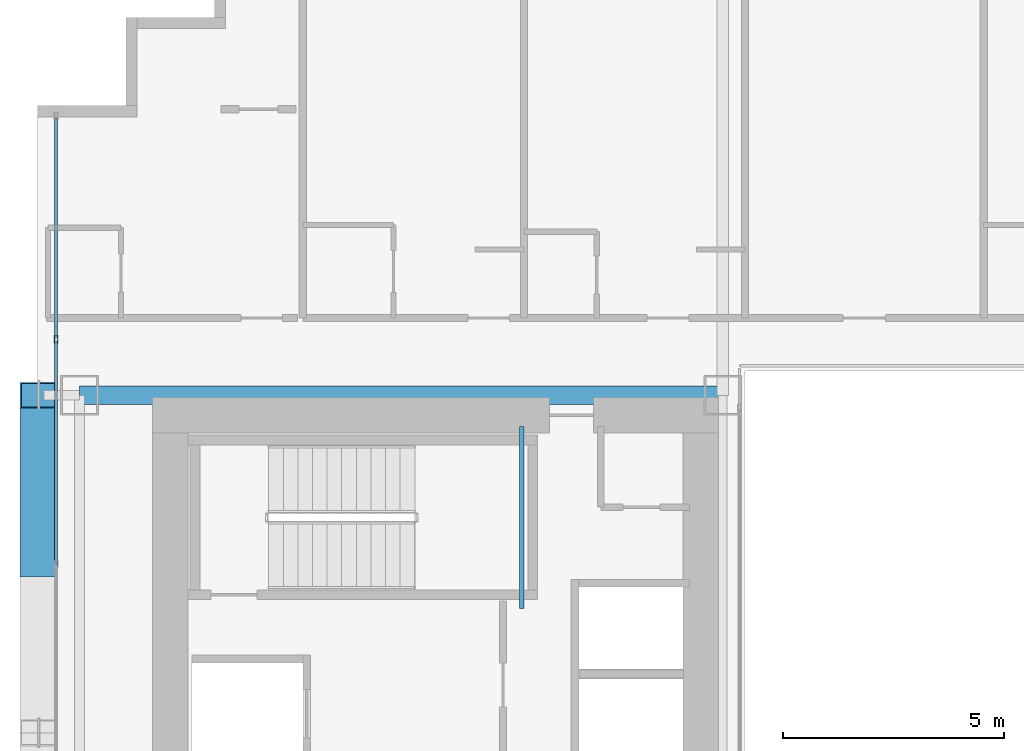
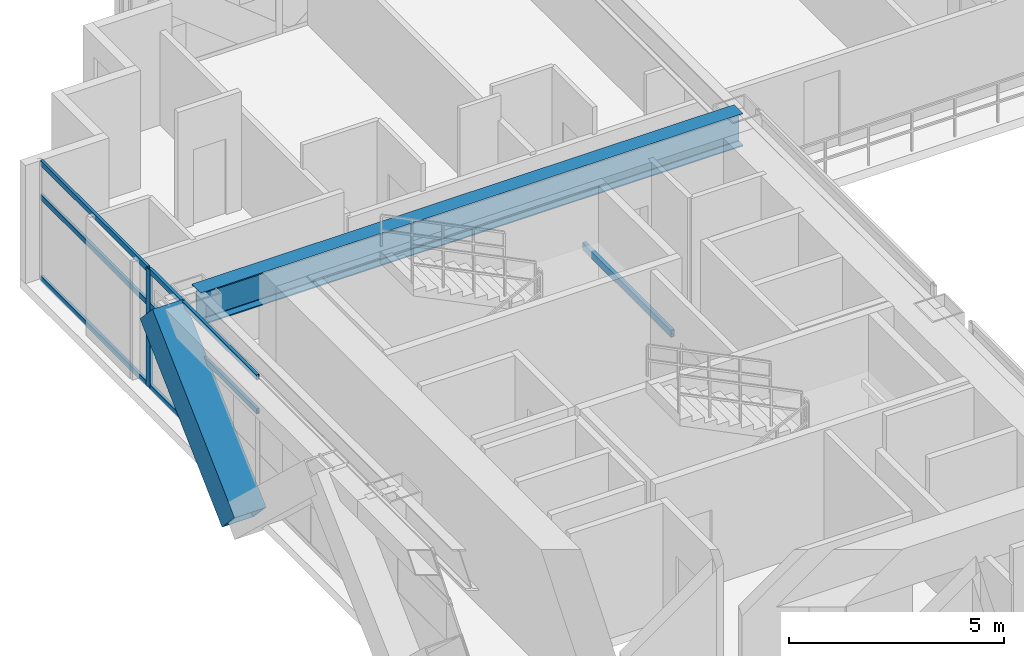
# One storey, part 19 of 41: 8 members, 2 beams, 1 element without a shape of its own.
"""IFC4 building model written with IfcOpenShell, lengths in metres."""

import ifcopenshell
import ifcopenshell.guid

model = None  # the IFC model being written
_history = None  # IfcOwnerHistory: only IFC2X3 demands one
_inside = {}  # id of a spatial element -> (the spatial element, [elements in it])
_under = {}  # id of a project, library or spatial element -> (it, [spatial elements below it])
_declared = {}  # id of a project -> (the project, [libraries it declares])
_typed = {}  # id of a type object -> (the type object, [elements of that type])
_made_of = {}  # id of a material, layer set ... -> (it, [elements and type objects made of it])


def new_model(schema):
    """Start an empty IFC model of exactly this schema.

    Asked for "IFC4X3", IfcOpenShell would pick the latest addendum, in which some entities
    have other attributes; the version numbers below select the first issue.
    IFC2X3 requires an IfcOwnerHistory on every rooted entity: one is made here for all.
    """
    global model, _history
    if schema == "IFC4X3":
        model = ifcopenshell.file(schema_version=(4, 3, 0, 0))
    else:
        model = ifcopenshell.file(schema=schema)
    _inside.clear()
    _under.clear()
    _declared.clear()
    _typed.clear()
    _made_of.clear()
    _history = None
    if model.schema == "IFC2X3":
        org = make("IfcOrganization", Name="unknown")
        user = make(
            "IfcPersonAndOrganization",
            ThePerson=make("IfcPerson", FamilyName="unknown"),
            TheOrganization=org,
        )
        app = make(
            "IfcApplication",
            ApplicationDeveloper=org,
            Version="unknown",
            ApplicationFullName="unknown",
            ApplicationIdentifier="unknown",
        )
        _history = make(
            "IfcOwnerHistory",
            OwningUser=user,
            OwningApplication=app,
            ChangeAction="ADDED",
            CreationDate=0,
        )
    return model


def make(cls, **values):
    """One entity of the class cls with the attributes given. An attribute that is None is left unset."""
    return model.create_entity(
        cls, **{name: value for name, value in values.items() if value is not None}
    )


def rooted(cls, **values):
    """An entity with a GlobalId (a new one), such as an element, a storey or a relation."""
    return make(cls, GlobalId=ifcopenshell.guid.new(), OwnerHistory=_history, **values)


def si_unit(unit_type, name, prefix=None):
    """IfcSIUnit, for example si_unit("LENGTHUNIT", "METRE", prefix="MILLI")."""
    return make("IfcSIUnit", UnitType=unit_type, Prefix=prefix, Name=name)


def assignment(units):
    """IfcUnitAssignment: the units of a project."""
    return None if units is None else make("IfcUnitAssignment", Units=units)


def point(xyz):
    """IfcCartesianPoint."""
    return None if xyz is None else make("IfcCartesianPoint", Coordinates=xyz)


def direction(xyz):
    """IfcDirection."""
    return None if xyz is None else make("IfcDirection", DirectionRatios=xyz)


def frame(location, z_axis=None, x_axis=None):
    """IfcAxis2Placement3D, a coordinate frame: its origin and axes. An axis left out is left unset."""
    return make(
        "IfcAxis2Placement3D",
        Location=point(location),
        Axis=direction(z_axis),
        RefDirection=direction(x_axis),
    )


def frame_2d(location, x_axis=None):
    """IfcAxis2Placement2D, a coordinate frame in the plane: its origin and x axis."""
    return make(
        "IfcAxis2Placement2D", Location=point(location), RefDirection=direction(x_axis)
    )


def origin():
    """The frame at (0, 0, 0) with its axes left unset."""
    return frame((0.0, 0.0, 0.0))


def origin_2d():
    """The frame at (0, 0) in the plane with its x axis left unset."""
    return frame_2d((0.0, 0.0))


def place(relative_to, where):
    """IfcLocalPlacement: puts the frame where relative to a parent placement (None: the world)."""
    return make(
        "IfcLocalPlacement", PlacementRelTo=relative_to, RelativePlacement=where
    )


def context(
    kind, dimensions, precision=None, world=None, true_north=None, identifier=None
):
    """IfcGeometricRepresentationContext, for example the 3D "Model" context."""
    return make(
        "IfcGeometricRepresentationContext",
        ContextIdentifier=identifier,
        ContextType=kind,
        CoordinateSpaceDimension=dimensions,
        Precision=precision,
        WorldCoordinateSystem=world,
        TrueNorth=true_north,
    )


def subcontext(parent, identifier, kind, view, scale=None):
    """IfcGeometricRepresentationSubContext, for example "Body" below "Model"."""
    return make(
        "IfcGeometricRepresentationSubContext",
        ContextIdentifier=identifier,
        ContextType=kind,
        ParentContext=parent,
        TargetScale=scale,
        TargetView=view,
    )


def project(units=None, contexts=None):
    """IfcProject with its units and contexts."""
    return rooted(
        "IfcProject",
        Name="project",
        RepresentationContexts=contexts,
        UnitsInContext=assignment(units),
    )


def spatial(cls, under=None, at=None, **own):
    """A site, building, storey or space (cls), placed at a placement, below another one or the project."""
    s = rooted(cls, ObjectPlacement=at, **own)
    if under is not None:
        _under.setdefault(under.id(), (under, []))[1].append(s)
    return s


def profile(cls, at=None, kind="AREA", **sizes):
    """A parametric profile (cls). Its sizes go by their IFC names, for example OverallWidth=200.0."""
    return make(cls, ProfileType=kind, Position=at, **sizes)


def hollow_rectangle(**sizes):
    """IfcRectangleHollowProfileDef."""
    return profile("IfcRectangleHollowProfileDef", **sizes)


def i_section(**sizes):
    """IfcIShapeProfileDef."""
    return profile("IfcIShapeProfileDef", **sizes)


def extrude(swept, where, along, depth):
    """IfcExtrudedAreaSolid: the profile swept, set in the frame where, extruded along a direction by depth."""
    return make(
        "IfcExtrudedAreaSolid",
        SweptArea=swept,
        Position=where,
        ExtrudedDirection=direction(along),
        Depth=depth,
    )


def shape(context_of_items, identifier, shape_type, items):
    """IfcShapeRepresentation: the items that make up one representation, for example the "Body"."""
    return make(
        "IfcShapeRepresentation",
        ContextOfItems=context_of_items,
        RepresentationIdentifier=identifier,
        RepresentationType=shape_type,
        Items=items,
    )


def source(mapping_origin, context_of_items, identifier, shape_type, items):
    """IfcRepresentationMap: a shape defined once, which mapped items show again and again."""
    return make(
        "IfcRepresentationMap",
        MappingOrigin=mapping_origin,
        MappedRepresentation=shape(context_of_items, identifier, shape_type, items),
    )


def transform(
    local_origin,
    x_axis=None,
    y_axis=None,
    z_axis=None,
    scale=None,
    scale2=None,
    scale3=None,
    uniform=True,
):
    """IfcCartesianTransformationOperator3D, or its non-uniform kind. x_axis, y_axis, z_axis: its Axis1, 2, 3."""
    if uniform:
        return make(
            "IfcCartesianTransformationOperator3D",
            Axis1=direction(x_axis),
            Axis2=direction(y_axis),
            LocalOrigin=point(local_origin),
            Scale=scale,
            Axis3=direction(z_axis),
        )
    return make(
        "IfcCartesianTransformationOperator3DnonUniform",
        Axis1=direction(x_axis),
        Axis2=direction(y_axis),
        LocalOrigin=point(local_origin),
        Scale=scale,
        Axis3=direction(z_axis),
        Scale2=scale2,
        Scale3=scale3,
    )


def mapped(mapping_source, mapping_target):
    """IfcMappedItem: shows the shape of a source again, moved by a transform."""
    return make(
        "IfcMappedItem", MappingSource=mapping_source, MappingTarget=mapping_target
    )


def material(Name=None, Category=None):
    """IfcMaterial."""
    return make("IfcMaterial", Name=Name, Category=Category)


def layer(
    of_material, thickness, ventilated=None, Name=None, Category=None, Priority=None
):
    """IfcMaterialLayer: one layer of a wall or slab, of a material (None: an air gap)."""
    return make(
        "IfcMaterialLayer",
        Material=of_material,
        LayerThickness=thickness,
        IsVentilated=ventilated,
        Name=Name,
        Category=Category,
        Priority=Priority,
    )


def layer_set(layers, Name=None):
    """IfcMaterialLayerSet."""
    return make("IfcMaterialLayerSet", MaterialLayers=layers, LayerSetName=Name)


def material_profile(
    of_material, cross_section, Name=None, Category=None, Priority=None
):
    """IfcMaterialProfile: a cross section and its material."""
    return make(
        "IfcMaterialProfile",
        Name=Name,
        Material=of_material,
        Profile=cross_section,
        Priority=Priority,
        Category=Category,
    )


def profile_set(profiles, Name=None, composite=None):
    """IfcMaterialProfileSet."""
    return make(
        "IfcMaterialProfileSet",
        Name=Name,
        MaterialProfiles=profiles,
        CompositeProfile=composite,
    )


def made_of(thing, what):
    """Note that an element or type object is made of a material, layer set ...; save() writes the relation."""
    if what is not None:
        _made_of.setdefault(what.id(), (what, []))[1].append(thing)
    return thing


def type_object(cls, material=None, **own):
    """A type object (cls), such as IfcWallType, which elements share."""
    return made_of(rooted(cls, **own), material)


def element(
    cls,
    number,
    at=None,
    inside=None,
    cuts=None,
    type_object=None,
    material=None,
    context=None,
    identifier="Body",
    shape_type=None,
    held_by="IfcProductDefinitionShape",
    body=None,
    shapes=None,
    **own,
):
    """One element of the class cls, such as IfcWall. Its Tag is "e" and its number.

    at: its placement. inside: the storey or other place that contains it. cuts: it is an
    opening in that element (IfcRelVoidsElement). A single representation is given by context,
    identifier, shape_type and body (its items); several are given by shapes. held_by: the class
    of the entity that holds the representations. save() writes the other relations.
    """
    e = rooted(cls, Tag="e%d" % number, ObjectPlacement=at, **own)
    if body is not None:
        shapes = [shape(context, identifier, shape_type, body)]
    if shapes is not None:
        e.Representation = make(held_by, Representations=shapes)
    if inside is not None:
        _inside.setdefault(inside.id(), (inside, []))[1].append(e)
    if cuts is not None:
        rooted(
            "IfcRelVoidsElement", RelatingBuildingElement=cuts, RelatedOpeningElement=e
        )
    if type_object is not None:
        _typed.setdefault(type_object.id(), (type_object, []))[1].append(e)
    return made_of(e, material)


def aggregate(whole, parts):
    """IfcRelAggregates: a whole, such as a stair, and the parts it consists of."""
    return rooted("IfcRelAggregates", RelatingObject=whole, RelatedObjects=parts)


def save(model, path):
    """Write the relations noted so far, then the file.

    IfcRelAggregates (storeys below a building ...), IfcRelContainedInSpatialStructure (elements
    in a storey), IfcRelDefinesByType, IfcRelAssociatesMaterial and IfcRelDeclares: one each for
    every whole, place, type object, material and project.
    """
    for whole, parts in _under.values():
        aggregate(whole, parts)
    for where, things in _inside.values():
        rooted(
            "IfcRelContainedInSpatialStructure",
            RelatedElements=things,
            RelatingStructure=where,
        )
    for kind, things in _typed.values():
        rooted("IfcRelDefinesByType", RelatedObjects=things, RelatingType=kind)
    for what, things in _made_of.values():
        rooted("IfcRelAssociatesMaterial", RelatedObjects=things, RelatingMaterial=what)
    for by, libraries in _declared.values():
        rooted("IfcRelDeclares", RelatingContext=by, RelatedDefinitions=libraries)
    model.write(path)


model = new_model("IFC4")

# Units and contexts
model_context = context("Model", 3, precision=1e-05, world=origin(), true_north=direction((0.0, 1.0)))
body_context = subcontext(model_context, "Body", "Model", "MODEL_VIEW")
ifc_project = project(units=[si_unit("LENGTHUNIT", "METRE"), si_unit("AREAUNIT", "SQUARE_METRE"), si_unit("VOLUMEUNIT", "CUBIC_METRE"), si_unit("PLANEANGLEUNIT", "RADIAN"), si_unit("MASSUNIT", "GRAM", prefix="KILO")], contexts=[model_context])

# Site, building, storey
site_placement = place(None, origin())
site = spatial("IfcSite", under=ifc_project, at=site_placement, CompositionType="ELEMENT")
building_placement = place(site_placement, origin())
building = spatial("IfcBuilding", under=site, at=building_placement, Name="Ocotamira Hotel", CompositionType="ELEMENT")
storey_placement = place(building_placement, frame((0.0, 0.0, 67.199951171875)))
storey = spatial("IfcBuildingStorey", under=building, at=storey_placement, Name="L16", CompositionType="ELEMENT", Elevation=67.199951171875)

# Beams
ifc_material_1 = material(Name="Steel ASTM A500 Grade C", Category="steel")
ifc_material_profile_1 = material_profile(ifc_material_1, hollow_rectangle(XDim=0.10009765625, YDim=0.199951171875, WallThickness=0.008056640625, at=origin_2d()), Name="HSS200X100X8")
ifc_profile_set_1 = profile_set([ifc_material_profile_1], Name="Steel ASTM A500 Grade C")
beam_type_1 = type_object("IfcBeamType", Name="BM-STLDG-HSS200", PredefinedType="BEAM", material=ifc_profile_set_1)
shared_shape_1 = source(origin(), body_context, "Body", "SweptSolid", [
    extrude(hollow_rectangle(XDim=0.10009765625, YDim=0.199951171875, WallThickness=0.008056640625, at=origin_2d()), origin(), (0.0, 0.0, 1.0), 4.1201171875),
])
beam_1_placement = place(storey_placement, frame((18.949951171875, 32.6298828125, 1.5), z_axis=(0.0, 1.0, 0.0), x_axis=(-1.0, 0.0, 0.0)))
element("IfcBeam", 1, at=beam_1_placement, inside=storey, type_object=beam_type_1, Name="L16 Stair ST-2 Landing Bearer 1", PredefinedType="BEAM", context=body_context, shape_type="MappedRepresentation", body=[
    mapped(shared_shape_1, transform((0.0, 0.0, 0.0), scale=1.0)),
])
ifc_material_2 = material(Name="Steel ASTM A992 Grade 50", Category="steel")
ifc_material_profile_2 = material_profile(ifc_material_2, i_section(OverallWidth=0.41796875, OverallDepth=0.927001953125, WebThickness=0.019287109375, FlangeThickness=0.031982421875, FilletRadius=0.02392578125, at=origin_2d()), Name="W36X231")
ifc_profile_set_2 = profile_set([ifc_material_profile_2], Name="Steel ASTM A992 Grade 50")
beam_type_2 = type_object("IfcBeamType", Name="BM-GIRD-W36X231", PredefinedType="BEAM", material=ifc_profile_set_2)
shared_shape_2 = source(origin(), body_context, "Body", "SweptSolid", [
    extrude(i_section(OverallWidth=0.41796875, OverallDepth=0.927001953125, WebThickness=0.019287109375, FlangeThickness=0.031982421875, FilletRadius=0.02392578125, at=origin_2d()), origin(), (0.0, 0.0, 1.0), 14.550048828125),
])
beam_2_placement = place(storey_placement, frame((8.949951171875, 37.449951171875, 2.886474609375), z_axis=(1.0, 0.0, 0.0), x_axis=(0.0, 1.0, 0.0)))
element("IfcBeam", 2, at=beam_2_placement, inside=storey, type_object=beam_type_2, Name="L16 Girder Y37.45 X8.95-23.5", PredefinedType="BEAM", context=body_context, shape_type="MappedRepresentation", body=[
    mapped(shared_shape_2, transform((0.0, 0.0, 0.0), scale=1.0)),
])

# Member
ifc_material_3 = material(Name="Pale-metal coated steel ASTM A913 Grade 65", Category="steel")
ifc_material_profile_3 = material_profile(ifc_material_3, hollow_rectangle(XDim=0.85009765625, YDim=0.85009765625, WallThickness=0.035888671875, at=origin_2d()), Name="BOX850X850X36")
ifc_profile_set_3 = profile_set([ifc_material_profile_3], Name="Pale-metal coated steel ASTM A913 Grade 65")
member_type_1 = type_object("IfcMemberType", Name="MEM-EXO-BOX850", PredefinedType="BRACE", material=ifc_profile_set_3)
shared_shape_3 = source(origin(), body_context, "Body", "SweptSolid", [
    extrude(hollow_rectangle(XDim=0.85009765625, YDim=0.85009765625, WallThickness=0.035888671875, at=origin_2d()), origin(), (0.0, 0.0, 1.0), 5.24658203125),
])
member_1_placement = place(storey_placement, frame((8.030029296875, 33.63330078125, -0.5), z_axis=(0.0, 0.727442733726, 0.686168397078), x_axis=(-1.0, 0.0, 0.0)))
element("IfcMember", 3, at=member_1_placement, inside=storey, type_object=member_type_1, Name="L16 Exoskeleton Diagrid W2.2", PredefinedType="BRACE", context=body_context, shape_type="MappedRepresentation", body=[
    mapped(shared_shape_3, transform((0.0, 0.0, 0.0), scale=1.0)),
])

# Curtain wall, members
ifc_material_4 = material(Name="Anodised pale-metal aluminium and solar glass", Category="aluminium")
ifc_layer = layer(ifc_material_4, 0.179931640625)
ifc_layer_set = layer_set([ifc_layer], Name="Anodised pale-metal aluminium and solar glass")
curtain_wall_type = type_object("IfcCurtainWallType", Name="CW-SYS2-Z1", PredefinedType="NOTDEFINED", material=ifc_layer_set)
curtain_wall_placement = place(storey_placement, origin())
curtain_wall = element("IfcCurtainWall", 4, at=curtain_wall_placement, inside=storey, type_object=curtain_wall_type, Name="L16 Curtain Wall CW-2 CW-L16-W", PredefinedType="NOTDEFINED")
ifc_material_5 = material(Name="Anodised pale-metal aluminium 6063-T6", Category="aluminium")
ifc_material_profile_4 = material_profile(ifc_material_5, hollow_rectangle(XDim=0.074951171875, YDim=0.14990234375, WallThickness=0.006103515625, at=origin_2d()), Name="HSS150X75X6")
ifc_profile_set_4 = profile_set([ifc_material_profile_4], Name="Anodised pale-metal aluminium 6063-T6")
member_type_2 = type_object("IfcMemberType", Name="CWT-150X75", PredefinedType="USERDEFINED", material=ifc_profile_set_4)
shared_shape_4 = source(origin(), body_context, "Body", "SweptSolid", [
    extrude(hollow_rectangle(XDim=0.074951171875, YDim=0.14990234375, WallThickness=0.006103515625, at=origin_2d()), origin(), (0.0, 0.0, 1.0), 4.965576171875),
])
member_2_placement = place(storey_placement, frame((8.419921875, 38.75439453125, 0.03759765625), z_axis=(0.0, 1.0, 0.0), x_axis=(-1.0, 0.0, 0.0)))
member_2 = element("IfcMember", 5, at=member_2_placement, type_object=member_type_2, Name="CW-2 transom 7.1", ObjectType="TRANSOM", PredefinedType="USERDEFINED", context=body_context, shape_type="MappedRepresentation", body=[
    mapped(shared_shape_4, transform((0.0, 0.0, 0.0), scale=1.0)),
])
member_3_placement = place(storey_placement, frame((8.419921875, 38.75439453125, 2.35009765625), z_axis=(0.0, 1.0, 0.0), x_axis=(-1.0, 0.0, 0.0)))
member_3 = element("IfcMember", 6, at=member_3_placement, type_object=member_type_2, Name="CW-2 transom 7.2", ObjectType="TRANSOM", PredefinedType="USERDEFINED", context=body_context, shape_type="MappedRepresentation", body=[
    mapped(shared_shape_4, transform((0.0, 0.0, 0.0), scale=1.0)),
])
member_4_placement = place(storey_placement, frame((8.419921875, 38.75439453125, 3.3125), z_axis=(0.0, 1.0, 0.0), x_axis=(-1.0, 0.0, 0.0)))
member_4 = element("IfcMember", 7, at=member_4_placement, type_object=member_type_2, Name="CW-2 transom 7.3", ObjectType="TRANSOM", PredefinedType="USERDEFINED", context=body_context, shape_type="MappedRepresentation", body=[
    mapped(shared_shape_4, transform((0.0, 0.0, 0.0), scale=1.0)),
])
shared_shape_5 = source(origin(), body_context, "Body", "SweptSolid", [
    extrude(hollow_rectangle(XDim=0.074951171875, YDim=0.14990234375, WallThickness=0.006103515625, at=origin_2d()), origin(), (0.0, 0.0, 1.0), 5.005859375),
])
member_5_placement = place(storey_placement, frame((8.419921875, 33.66845703125, 0.03759765625), z_axis=(0.0, 1.0, 0.0), x_axis=(-1.0, 0.0, 0.0)))
member_5 = element("IfcMember", 8, at=member_5_placement, type_object=member_type_2, Name="CW-2 transom 6.1", ObjectType="TRANSOM", PredefinedType="USERDEFINED", context=body_context, shape_type="MappedRepresentation", body=[
    mapped(shared_shape_5, transform((0.0, 0.0, 0.0), scale=1.0)),
])
member_6_placement = place(storey_placement, frame((8.419921875, 33.66845703125, 2.35009765625), z_axis=(0.0, 1.0, 0.0), x_axis=(-1.0, 0.0, 0.0)))
member_6 = element("IfcMember", 9, at=member_6_placement, type_object=member_type_2, Name="CW-2 transom 6.2", ObjectType="TRANSOM", PredefinedType="USERDEFINED", context=body_context, shape_type="MappedRepresentation", body=[
    mapped(shared_shape_5, transform((0.0, 0.0, 0.0), scale=1.0)),
])
member_7_placement = place(storey_placement, frame((8.419921875, 33.66845703125, 3.3125), z_axis=(0.0, 1.0, 0.0), x_axis=(-1.0, 0.0, 0.0)))
member_7 = element("IfcMember", 10, at=member_7_placement, type_object=member_type_2, Name="CW-2 transom 6.3", ObjectType="TRANSOM", PredefinedType="USERDEFINED", context=body_context, shape_type="MappedRepresentation", body=[
    mapped(shared_shape_5, transform((0.0, 0.0, 0.0), scale=1.0)),
])
ifc_material_profile_5 = material_profile(ifc_material_5, hollow_rectangle(XDim=0.080078125, YDim=0.179931640625, WallThickness=0.006103515625, at=origin_2d()), Name="HSS180X80X6")
ifc_profile_set_5 = profile_set([ifc_material_profile_5], Name="Anodised pale-metal aluminium 6063-T6")
member_type_3 = type_object("IfcMemberType", Name="CWM-180X75", PredefinedType="MULLION", material=ifc_profile_set_5)
shared_shape_6 = source(origin(), body_context, "Body", "SweptSolid", [
    extrude(hollow_rectangle(XDim=0.080078125, YDim=0.179931640625, WallThickness=0.006103515625, at=origin_2d()), origin(), (0.0, 0.0, 1.0), 3.35009765625),
])
member_8_placement = place(storey_placement, frame((8.419921875, 38.71435546875, 0.0), z_axis=(0.0, 0.0, 1.0), x_axis=(-1.0, 0.0, 0.0)))
member_8 = element("IfcMember", 11, at=member_8_placement, type_object=member_type_3, Name="CW-2 mullion 7", PredefinedType="MULLION", context=body_context, shape_type="MappedRepresentation", body=[
    mapped(shared_shape_6, transform((0.0, 0.0, 0.0), scale=1.0)),
])
aggregate(curtain_wall, [member_8, member_5, member_6, member_7, member_2, member_3, member_4])

save(model, "model.ifc")
